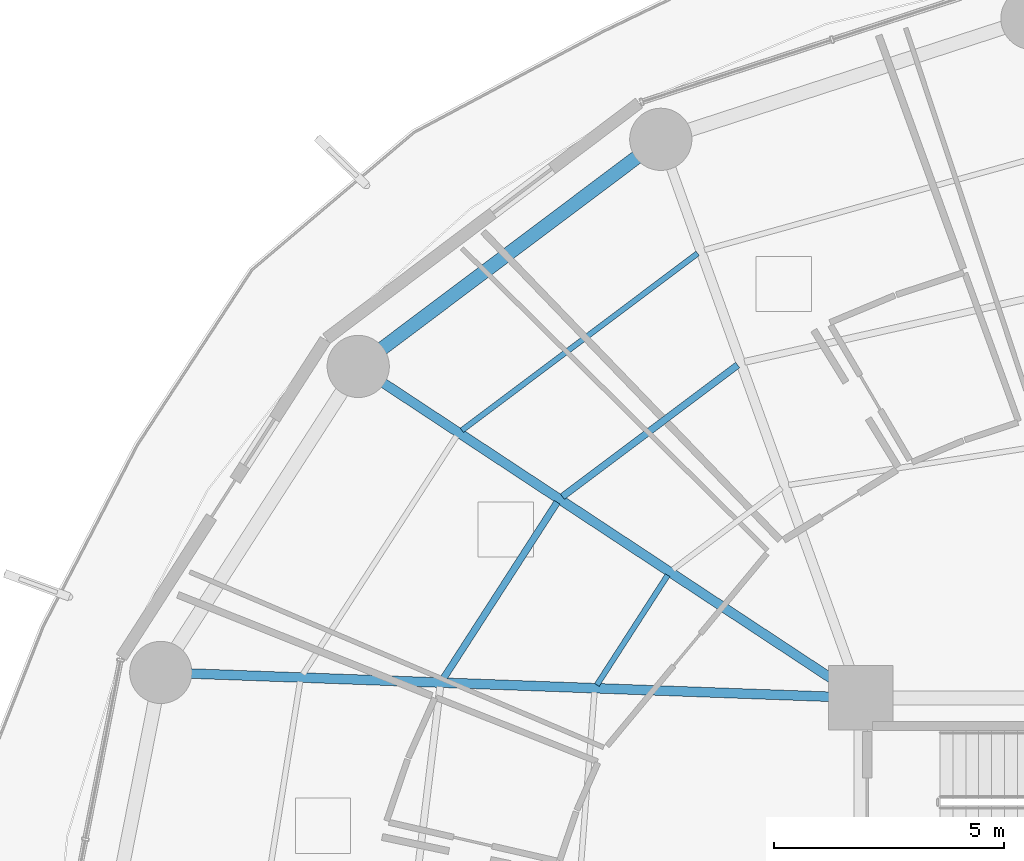
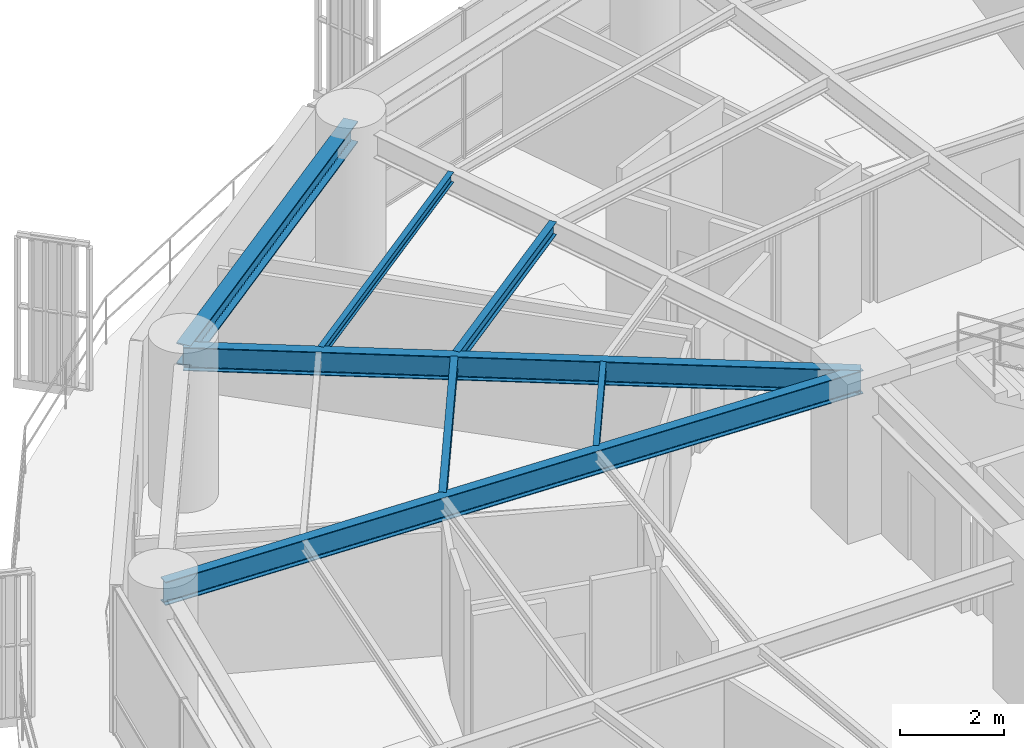
# One storey, part 16 of 34: 7 beams.
"""IFC4 building model written with IfcOpenShell, lengths in metres."""

from ifc_helpers import new_model, si_unit, direction, frame, origin, origin_2d, place, context, subcontext, project, spatial, i_section, extrude, material, material_profile, profile_set, type_object, element, save


model = new_model("IFC4")

# Units and contexts
model_context = context("Model", 3, precision=1e-05, world=origin(), true_north=direction((0.0, 1.0)))
body_context = subcontext(model_context, "Body", "Model", "MODEL_VIEW")
ifc_project = project(units=[si_unit("LENGTHUNIT", "METRE"), si_unit("AREAUNIT", "SQUARE_METRE"), si_unit("VOLUMEUNIT", "CUBIC_METRE"), si_unit("PLANEANGLEUNIT", "RADIAN"), si_unit("MASSUNIT", "GRAM", prefix="KILO")], contexts=[model_context])

# Site, building, storey
site_placement = place(None, origin())
site = spatial("IfcSite", under=ifc_project, at=site_placement, CompositionType="ELEMENT")
building_placement = place(site_placement, origin())
building = spatial("IfcBuilding", under=site, at=building_placement, Name="Kelanora Arch Commons", CompositionType="ELEMENT")
storey_placement = place(building_placement, frame((0.0, 0.0, 76.35009765625)))
storey = spatial("IfcBuildingStorey", under=building, at=storey_placement, Name="L19", CompositionType="ELEMENT", Elevation=76.35009765625)

# Beams
ifc_material = material(Name="Steel S355", Category="steel")
ifc_material_profile_1 = material_profile(ifc_material, i_section(OverallWidth=0.14990234375, OverallDepth=0.300048828125, WebThickness=0.007080078125, FlangeThickness=0.0107421875, FilletRadius=0.014892578125, at=origin_2d()), Name="IPE300")
ifc_profile_set_1 = profile_set([ifc_material_profile_1], Name="Steel S355")
beam_type_1 = type_object("IfcBeamType", Name="BM-JST-01", PredefinedType="JOIST", material=ifc_profile_set_1)
beam_1_placement = place(storey_placement, frame((63.327880859375, 72.22216796875, 3.33984375), z_axis=(-0.79971039107, -0.600385951214, 0.0), x_axis=(0.600385951214, -0.79971039107, 0.0)))
element("IfcBeam", 1, at=beam_1_placement, inside=storey, type_object=beam_type_1, Name="Secondary Chord Joist BJB-12 L19", PredefinedType="JOIST", context=body_context, shape_type="SweptSolid", body=[
    extrude(i_section(OverallWidth=0.14990234375, OverallDepth=0.300048828125, WebThickness=0.007080078125, FlangeThickness=0.0107421875, FilletRadius=0.014892578125, at=origin_2d()), origin(), (0.0, 0.0, 1.0), 4.756103515625),
])
beam_2_placement = place(storey_placement, frame((59.410400390625, 69.244384765625, 3.33984375), z_axis=(-0.542230243286, -0.840229946661, 0.0), x_axis=(0.840229946661, -0.542230243286, 0.0)))
element("IfcBeam", 2, at=beam_2_placement, inside=storey, type_object=beam_type_1, Name="Secondary Chord Joist BJB-14 L19", PredefinedType="JOIST", context=body_context, shape_type="SweptSolid", body=[
    extrude(i_section(OverallWidth=0.14990234375, OverallDepth=0.300048828125, WebThickness=0.007080078125, FlangeThickness=0.0107421875, FilletRadius=0.014892578125, at=origin_2d()), origin(), (0.0, 0.0, 1.0), 4.572265625),
])
ifc_material_profile_2 = material_profile(ifc_material, i_section(OverallWidth=0.1201171875, OverallDepth=0.239990234375, WebThickness=0.006103515625, FlangeThickness=0.009765625, FilletRadius=0.014892578125, at=origin_2d()), Name="IPE240")
ifc_profile_set_2 = profile_set([ifc_material_profile_2], Name="Steel S355")
beam_type_2 = type_object("IfcBeamType", Name="BM-JST-02", PredefinedType="JOIST", material=ifc_profile_set_2)
beam_3_placement = place(storey_placement, frame((62.4599609375, 74.646484375, 3.369873046875), z_axis=(-0.799734335646, -0.600354055861, 0.0), x_axis=(0.600354055861, -0.799734335646, 0.0)))
element("IfcBeam", 3, at=beam_3_placement, inside=storey, type_object=beam_type_2, Name="Secondary Chord Joist BJC-12 L19", PredefinedType="JOIST", context=body_context, shape_type="SweptSolid", body=[
    extrude(i_section(OverallWidth=0.1201171875, OverallDepth=0.239990234375, WebThickness=0.006103515625, FlangeThickness=0.009765625, FilletRadius=0.014892578125, at=origin_2d()), origin(), (0.0, 0.0, 1.0), 6.39794921875),
])
beam_4_placement = place(storey_placement, frame((61.8095703125, 67.661865234375, 3.369873046875), z_axis=(-0.542211255502, -0.840242199849, 0.0), x_axis=(0.840242199849, -0.542211255502, 0.0)))
element("IfcBeam", 4, at=beam_4_placement, inside=storey, type_object=beam_type_2, Name="Secondary Chord Joist BJA-14 L19", PredefinedType="JOIST", context=body_context, shape_type="SweptSolid", body=[
    extrude(i_section(OverallWidth=0.1201171875, OverallDepth=0.239990234375, WebThickness=0.006103515625, FlangeThickness=0.009765625, FilletRadius=0.014892578125, at=origin_2d()), origin(), (0.0, 0.0, 1.0), 2.83349609375),
])
ifc_material_profile_3 = material_profile(ifc_material, i_section(OverallWidth=0.2099609375, OverallDepth=0.550048828125, WebThickness=0.010986328125, FlangeThickness=0.01708984375, FilletRadius=0.02392578125, at=origin_2d()), Name="IPE550")
ifc_profile_set_3 = profile_set([ifc_material_profile_3], Name="Steel S355")
beam_type_3 = type_object("IfcBeamType", Name="BM-RAD-Z2", PredefinedType="BEAM", material=ifc_profile_set_3)
beam_5_placement = place(storey_placement, frame((66.0, 65.0, 3.21484375), z_axis=(-0.834788577908, 0.550570640512, 0.0), x_axis=(-0.550570640512, -0.834788577908, 0.0)))
element("IfcBeam", 5, at=beam_5_placement, inside=storey, type_object=beam_type_3, Name="Radial Floor Girder BR-14 L19", PredefinedType="BEAM", context=body_context, shape_type="SweptSolid", body=[
    extrude(i_section(OverallWidth=0.2099609375, OverallDepth=0.550048828125, WebThickness=0.010986328125, FlangeThickness=0.01708984375, FilletRadius=0.02392578125, at=origin_2d()), origin(), (0.0, 0.0, 1.0), 13.064453125),
])
beam_6_placement = place(storey_placement, frame((66.0, 65.0, 3.21484375), z_axis=(-0.999341087625, 0.036295875581, 0.0), x_axis=(-0.036295875581, -0.999341087625, 0.0)))
element("IfcBeam", 6, at=beam_6_placement, inside=storey, type_object=beam_type_3, Name="Radial Floor Girder BR-16 L19", PredefinedType="BEAM", context=body_context, shape_type="SweptSolid", body=[
    extrude(i_section(OverallWidth=0.2099609375, OverallDepth=0.550048828125, WebThickness=0.010986328125, FlangeThickness=0.01708984375, FilletRadius=0.02392578125, at=origin_2d()), origin(), (0.0, 0.0, 1.0), 15.20166015625),
])
ifc_material_profile_4 = material_profile(ifc_material, i_section(OverallWidth=0.300048828125, OverallDepth=0.5, WebThickness=0.014404296875, FlangeThickness=0.028076171875, FilletRadius=0.027099609375, at=origin_2d()), Name="HEB500")
ifc_profile_set_4 = profile_set([ifc_material_profile_4], Name="Steel S355")
beam_type_4 = type_object("IfcBeamType", Name="BM-SPN-Z2", PredefinedType="SPANDREL", material=ifc_profile_set_4)
beam_7_placement = place(storey_placement, frame((61.659912109375, 77.121826171875, 3.239990234375), z_axis=(-0.799735861602, -0.600352023123, 0.0), x_axis=(0.600352023123, -0.799735861602, 0.0)))
element("IfcBeam", 7, at=beam_7_placement, inside=storey, type_object=beam_type_4, Name="Perimeter Spandrel Beam BS-12 L19", PredefinedType="SPANDREL", context=body_context, shape_type="SweptSolid", body=[
    extrude(i_section(OverallWidth=0.300048828125, OverallDepth=0.5, WebThickness=0.014404296875, FlangeThickness=0.028076171875, FilletRadius=0.027099609375, at=origin_2d()), origin(), (0.0, 0.0, 1.0), 8.210205078125),
])

save(model, "model.ifc")
